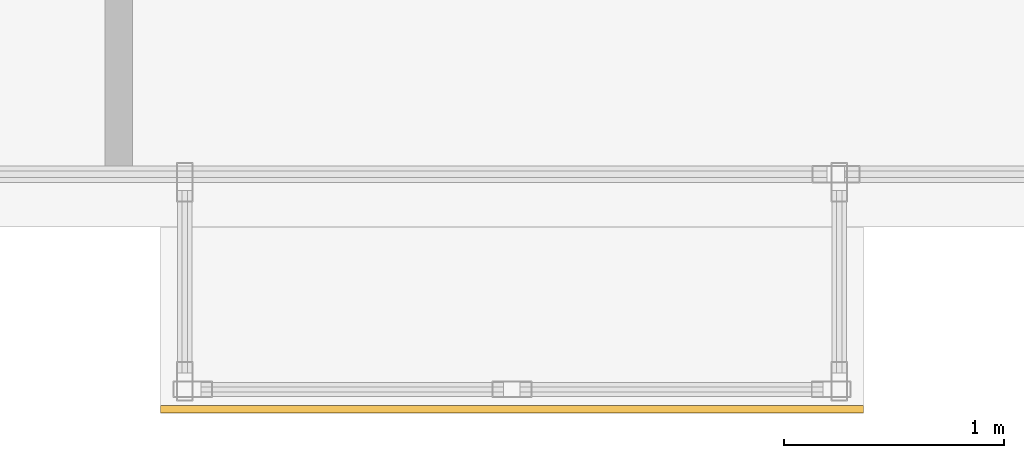
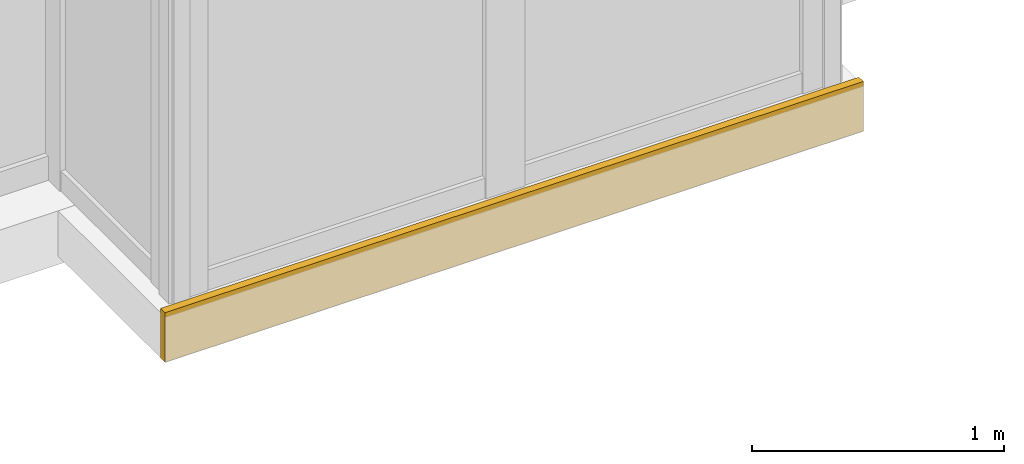
# One storey, part 29 of 30: 1 covering.
"""IFC4 building model written with IfcOpenShell, lengths in metres."""

from ifc_helpers import new_model, si_unit, direction, frame, origin, origin_2d, place, context, subcontext, project, spatial, rectangle, extrude, material, layer, layer_set, type_object, element, save


model = new_model("IFC4")

# Units and contexts
model_context = context("Model", 3, precision=1e-05, world=origin(), true_north=direction((0.0, 1.0)))
body_context = subcontext(model_context, "Body", "Model", "MODEL_VIEW")
ifc_project = project(units=[si_unit("LENGTHUNIT", "METRE"), si_unit("AREAUNIT", "SQUARE_METRE"), si_unit("VOLUMEUNIT", "CUBIC_METRE"), si_unit("PLANEANGLEUNIT", "RADIAN"), si_unit("MASSUNIT", "GRAM", prefix="KILO")], contexts=[model_context])

# Site, building, storey
site_placement = place(None, origin())
site = spatial("IfcSite", under=ifc_project, at=site_placement, CompositionType="ELEMENT")
building_placement = place(site_placement, origin())
building = spatial("IfcBuilding", under=site, at=building_placement, Name="Kolvaren Waterfront Exchange", CompositionType="ELEMENT")
storey_placement = place(building_placement, frame((0.0, 0.0, 71.39990234375)))
storey = spatial("IfcBuildingStorey", under=building, at=storey_placement, Name="L18", CompositionType="ELEMENT", Elevation=71.39990234375)

# Covering
ifc_material = material(Name="Anodised bronze fascia aluminium", Category="aluminium")
ifc_layer = layer(ifc_material, 0.034912109375, Name="Anodised bronze fascia aluminium")
ifc_layer_set = layer_set([ifc_layer], Name="Anodised bronze fascia aluminium")
covering_type = type_object("IfcCoveringType", Name="ARC-CLAD-BRONZE-35", PredefinedType="CLADDING", material=ifc_layer_set)
covering_placement = place(storey_placement, frame((38.10009765625, 0.3701171875, -0.2197265625), z_axis=(0.0, 0.0, 1.0), x_axis=(1.0, 0.0, 0.0)))
element("IfcCovering", 1, at=covering_placement, inside=storey, type_object=covering_type, Name="L18 ribbed anodised bronze bay-box fascia", PredefinedType="CLADDING", context=body_context, shape_type="SweptSolid", body=[
    extrude(rectangle(XDim=3.199951171875, YDim=0.034912109375, at=origin_2d()), origin(), (0.0, 0.0, 1.0), 0.239990234375),
])

save(model, "model.ifc")
